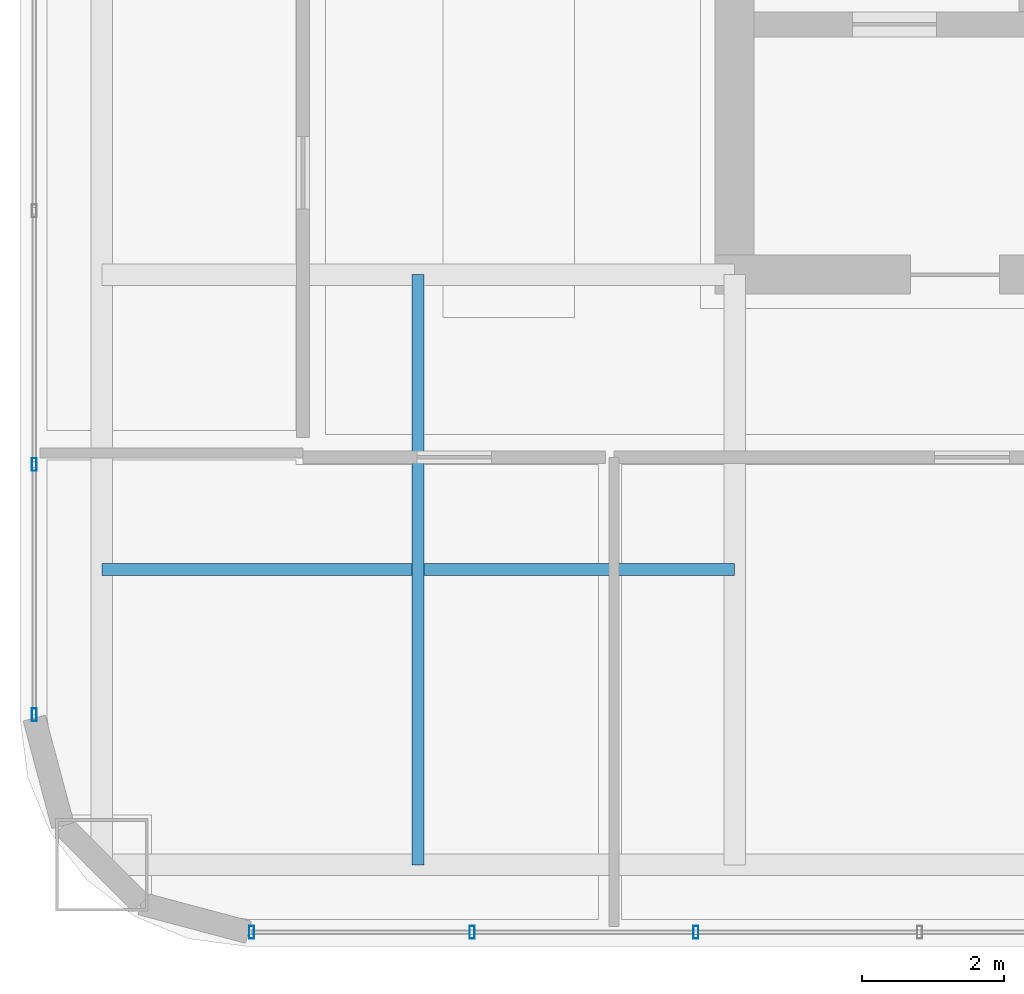
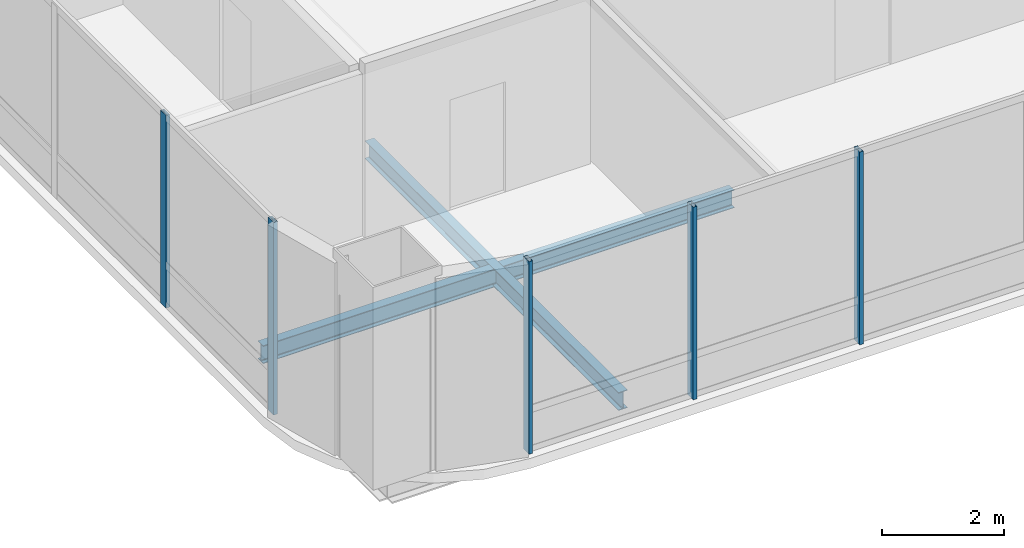
# One storey, part 2 of 44: 5 members, 2 beams, 2 elements without a shape of their own.
"""IFC4 building model written with IfcOpenShell, lengths in metres."""

from ifc_helpers import new_model, si_unit, direction, frame, origin, origin_2d, place, context, subcontext, project, spatial, hollow_rectangle, i_section, extrude, material, material_profile, profile_set, type_object, element, aggregate, save


model = new_model("IFC4")

# Units and contexts
model_context = context("Model", 3, precision=1e-05, world=origin(), true_north=direction((0.0, 1.0)))
body_context = subcontext(model_context, "Body", "Model", "MODEL_VIEW")
ifc_project = project(units=[si_unit("LENGTHUNIT", "METRE"), si_unit("AREAUNIT", "SQUARE_METRE"), si_unit("VOLUMEUNIT", "CUBIC_METRE"), si_unit("PLANEANGLEUNIT", "RADIAN"), si_unit("MASSUNIT", "GRAM", prefix="KILO")], contexts=[model_context])

# Site, building, storey
site_placement = place(None, origin())
site = spatial("IfcSite", under=ifc_project, at=site_placement, CompositionType="ELEMENT")
building_placement = place(site_placement, origin())
building = spatial("IfcBuilding", under=site, at=building_placement, Name="Punatoya Terracotta Tower", CompositionType="ELEMENT")
storey_placement = place(building_placement, frame((0.0, 0.0, 267.60009765625)))
storey = spatial("IfcBuildingStorey", under=building, at=storey_placement, Name="L63", CompositionType="ELEMENT", Elevation=267.60009765625)

# Beams
ifc_material_1 = material(Name="Steel S355", Category="steel")
ifc_material_profile_1 = material_profile(ifc_material_1, i_section(OverallWidth=0.169921875, OverallDepth=0.360107421875, WebThickness=0.008056640625, FlangeThickness=0.0126953125, FilletRadius=0.01806640625, at=origin_2d()))
ifc_profile_set_1 = profile_set([ifc_material_profile_1], Name="Steel S355")
beam_type = type_object("IfcBeamType", Name="BM-SEC-360", PredefinedType="JOIST", material=ifc_profile_set_1)
beam_1_placement = place(storey_placement, frame((-19.10009765625, -13.35009765625, -0.380126953125), z_axis=(1.0, 0.0, 0.0), x_axis=(0.0, 1.0, 0.0)))
element("IfcBeam", 1, at=beam_1_placement, inside=storey, type_object=beam_type, Name="BM-L63-SJS-1", PredefinedType="JOIST", context=body_context, shape_type="SweptSolid", body=[
    extrude(i_section(OverallWidth=0.169921875, OverallDepth=0.360107421875, WebThickness=0.008056640625, FlangeThickness=0.0126953125, FilletRadius=0.01806640625, at=origin_2d()), origin(), (0.0, 0.0, 1.0), 8.900146484375),
])
beam_2_placement = place(storey_placement, frame((-14.64990234375, -17.5, -0.380126953125), z_axis=(0.0, 1.0, 0.0), x_axis=(-1.0, 0.0, 0.0)))
element("IfcBeam", 2, at=beam_2_placement, inside=storey, type_object=beam_type, Name="BM-L63-SJW-1", PredefinedType="JOIST", context=body_context, shape_type="SweptSolid", body=[
    extrude(i_section(OverallWidth=0.169921875, OverallDepth=0.360107421875, WebThickness=0.008056640625, FlangeThickness=0.0126953125, FilletRadius=0.01806640625, at=origin_2d()), origin(), (0.0, 0.0, 1.0), 8.300048828125),
])

# Curtain wall, members
ifc_material_2 = material(Name="Aluminium 6063-T6 + Double Low-E Glass", Category="aluminium")
curtain_wall_type = type_object("IfcCurtainWallType", Name="CW-M3", PredefinedType="NOTDEFINED", material=ifc_material_2)
curtain_wall_1_placement = place(storey_placement, origin())
curtain_wall_1 = element("IfcCurtainWall", 3, at=curtain_wall_1_placement, inside=storey, type_object=curtain_wall_type, Name="L63 Curtain Wall CW-L63-S01-1", PredefinedType="NOTDEFINED")
ifc_material_3 = material(Name="Aluminium 6063-T6", Category="aluminium")
ifc_material_profile_2 = material_profile(ifc_material_3, hollow_rectangle(XDim=0.070068359375, YDim=0.179931640625, WallThickness=0.00390625, at=origin_2d()))
ifc_profile_set_2 = profile_set([ifc_material_profile_2], Name="Aluminium 6063-T6")
member_type = type_object("IfcMemberType", Name="CW-MUL-M3", PredefinedType="MULLION", material=ifc_profile_set_2)
member_1_placement = place(storey_placement, frame((-16.991943359375, -18.449951171875, 0.0), z_axis=(0.0, 0.0, 1.0), x_axis=(1.0, 0.0, 0.0)))
member_1 = element("IfcMember", 4, at=member_1_placement, type_object=member_type, Name="CW-L63-S01-1 Mullion 00", PredefinedType="MULLION", context=body_context, shape_type="SweptSolid", body=[
    extrude(hollow_rectangle(XDim=0.070068359375, YDim=0.179931640625, WallThickness=0.00390625, at=origin_2d()), origin(), (0.0, 0.0, 1.0), 3.849853515625),
])
member_2_placement = place(storey_placement, frame((-13.89013671875, -18.449951171875, 0.0), z_axis=(0.0, 0.0, 1.0), x_axis=(1.0, 0.0, 0.0)))
member_2 = element("IfcMember", 5, at=member_2_placement, type_object=member_type, Name="CW-L63-S01-1 Mullion 01", PredefinedType="MULLION", context=body_context, shape_type="SweptSolid", body=[
    extrude(hollow_rectangle(XDim=0.070068359375, YDim=0.179931640625, WallThickness=0.00390625, at=origin_2d()), origin(), (0.0, 0.0, 1.0), 3.849853515625),
])
member_3_placement = place(storey_placement, frame((-10.743408203125, -18.449951171875, 0.0), z_axis=(0.0, 0.0, 1.0), x_axis=(1.0, 0.0, 0.0)))
member_3 = element("IfcMember", 6, at=member_3_placement, type_object=member_type, Name="CW-L63-S01-1 Mullion 02", PredefinedType="MULLION", context=body_context, shape_type="SweptSolid", body=[
    extrude(hollow_rectangle(XDim=0.070068359375, YDim=0.179931640625, WallThickness=0.00390625, at=origin_2d()), origin(), (0.0, 0.0, 1.0), 3.849853515625),
])
aggregate(curtain_wall_1, [member_1, member_2, member_3])

curtain_wall_2_placement = place(storey_placement, origin())
curtain_wall_2 = element("IfcCurtainWall", 7, at=curtain_wall_2_placement, inside=storey, type_object=curtain_wall_type, Name="L63 Curtain Wall CW-L63-W13-1", PredefinedType="NOTDEFINED")
member_4_placement = place(storey_placement, frame((-20.050048828125, -11.869384765625, 0.0), z_axis=(0.0, 0.0, 1.0), x_axis=(1.0, 0.0, 0.0)))
member_4 = element("IfcMember", 8, at=member_4_placement, type_object=member_type, Name="CW-L63-W13-1 Mullion 09", PredefinedType="MULLION", context=body_context, shape_type="SweptSolid", body=[
    extrude(hollow_rectangle(XDim=0.070068359375, YDim=0.179931640625, WallThickness=0.00390625, at=origin_2d()), origin(), (0.0, 0.0, 1.0), 3.849853515625),
])
member_5_placement = place(storey_placement, frame((-20.050048828125, -15.391845703125, 0.0), z_axis=(0.0, 0.0, 1.0), x_axis=(1.0, 0.0, 0.0)))
member_5 = element("IfcMember", 9, at=member_5_placement, type_object=member_type, Name="CW-L63-W13-1 Mullion 10", PredefinedType="MULLION", context=body_context, shape_type="SweptSolid", body=[
    extrude(hollow_rectangle(XDim=0.070068359375, YDim=0.179931640625, WallThickness=0.00390625, at=origin_2d()), origin(), (0.0, 0.0, 1.0), 3.849853515625),
])
aggregate(curtain_wall_2, [member_4, member_5])

save(model, "model.ifc")
